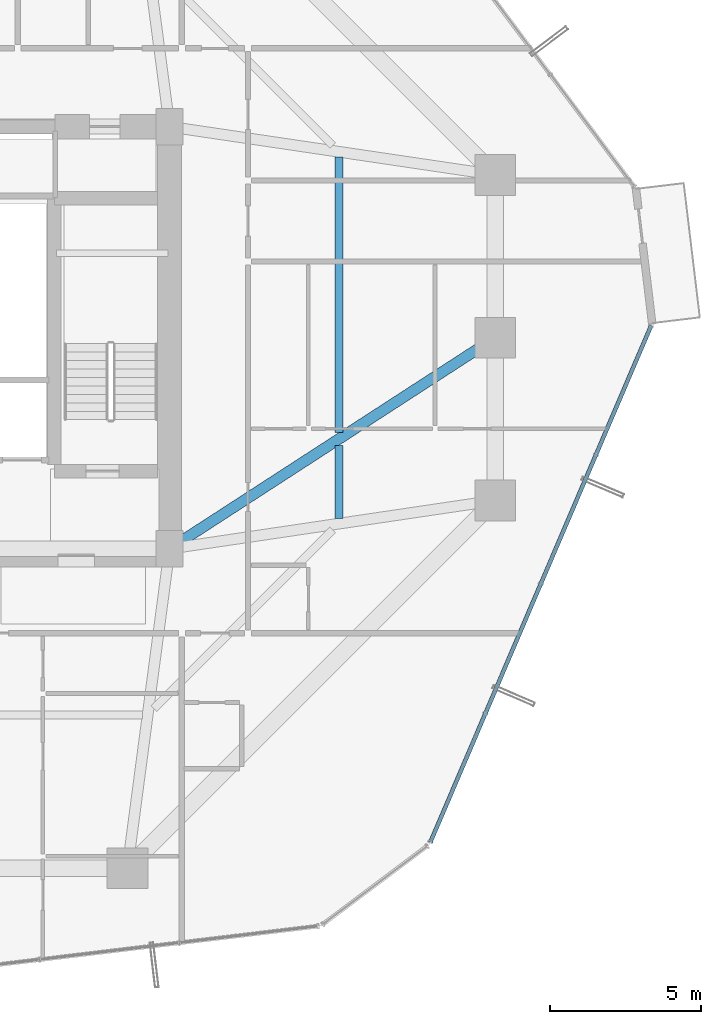
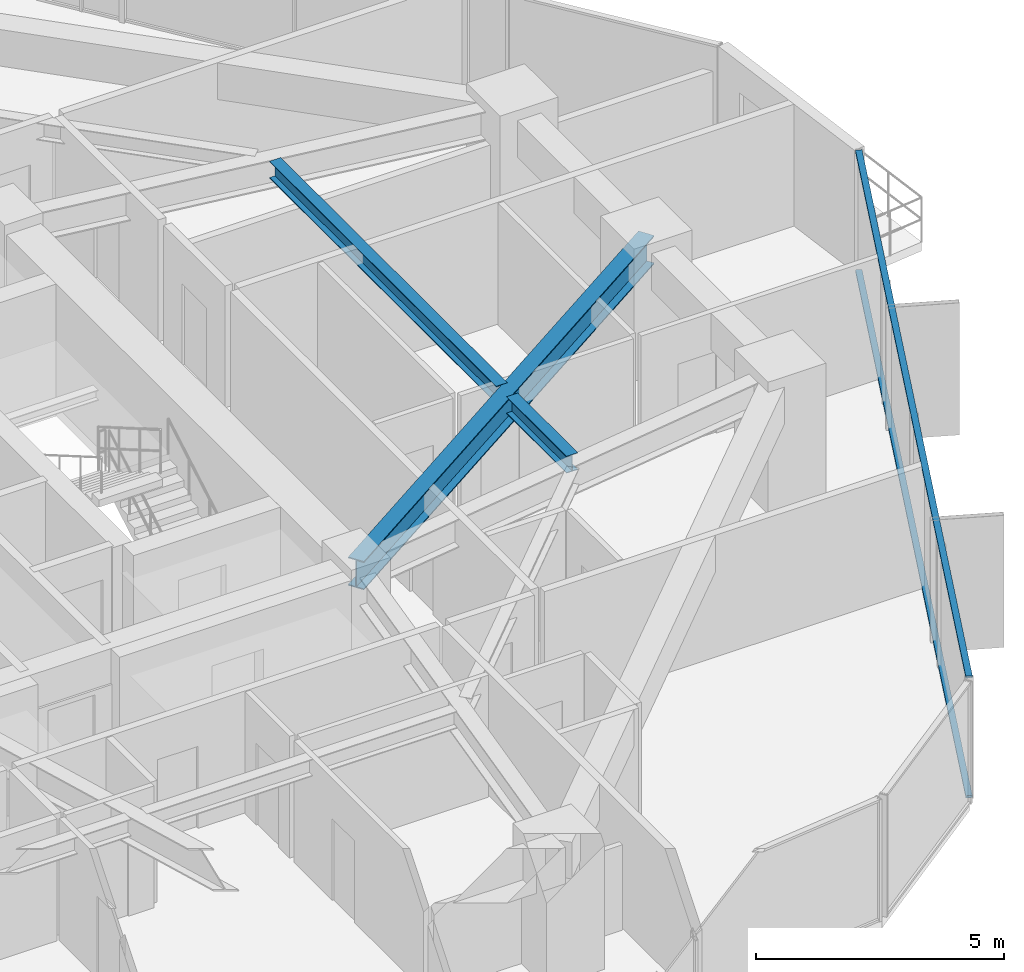
# One storey, part 17 of 37: 3 beams, 2 members, 1 element without a shape of its own.
"""IFC4 building model written with IfcOpenShell, lengths in metres."""

from ifc_helpers import new_model, si_unit, direction, frame, origin, origin_2d, place, context, subcontext, project, spatial, hollow_rectangle, i_section, extrude, source, transform, mapped, material, layer, layer_set, material_profile, profile_set, type_object, element, aggregate, save


model = new_model("IFC4")

# Units and contexts
model_context = context("Model", 3, precision=1e-05, world=origin(), true_north=direction((0.0, 1.0)))
body_context = subcontext(model_context, "Body", "Model", "MODEL_VIEW")
ifc_project = project(units=[si_unit("LENGTHUNIT", "METRE"), si_unit("AREAUNIT", "SQUARE_METRE"), si_unit("VOLUMEUNIT", "CUBIC_METRE"), si_unit("PLANEANGLEUNIT", "RADIAN"), si_unit("MASSUNIT", "GRAM", prefix="KILO")], contexts=[model_context])

# Site, building, storey
site_placement = place(None, origin())
site = spatial("IfcSite", under=ifc_project, at=site_placement, CompositionType="ELEMENT")
building_placement = place(site_placement, origin())
building = spatial("IfcBuilding", under=site, at=building_placement, Name="Veraguas Prism Commons", CompositionType="ELEMENT")
storey_placement = place(building_placement, frame((0.0, 0.0, 46.800048828125)))
storey = spatial("IfcBuildingStorey", under=building, at=storey_placement, Name="L12", CompositionType="ELEMENT", Elevation=46.800048828125)

# Beams
ifc_material_1 = material(Name="Steel ASTM A992 Grade 50", Category="steel")
ifc_material_profile_1 = material_profile(ifc_material_1, i_section(OverallWidth=0.260986328125, OverallDepth=0.419921875, WebThickness=0.01171875, FlangeThickness=0.019287109375, at=origin_2d()), Name="W410X114")
ifc_profile_set_1 = profile_set([ifc_material_profile_1], Name="Steel ASTM A992 Grade 50")
beam_type_1 = type_object("IfcBeamType", Name="Lower Floor Joist W410x114", PredefinedType="JOIST", material=ifc_profile_set_1)
beam_1_placement = place(storey_placement, frame((36.416015625, 18.010009765625, 2.7900390625), z_axis=(0.0, 1.0, 0.0), x_axis=(-1.0, 0.0, 0.0)))
element("IfcBeam", 1, at=beam_1_placement, inside=storey, type_object=beam_type_1, Name="Composite Floor Joist L12-JS01", PredefinedType="JOIST", context=body_context, shape_type="SweptSolid", body=[
    extrude(i_section(OverallWidth=0.260986328125, OverallDepth=0.419921875, WebThickness=0.01171875, FlangeThickness=0.019287109375, at=origin_2d()), origin(), (0.0, 0.0, 1.0), 2.42041015625),
])
beam_2_placement = place(storey_placement, frame((36.416015625, 20.849609375, 2.7900390625), z_axis=(0.0, 1.0, 0.0), x_axis=(-1.0, 0.0, 0.0)))
element("IfcBeam", 2, at=beam_2_placement, inside=storey, type_object=beam_type_1, Name="Composite Floor Joist L12-JS02", PredefinedType="JOIST", context=body_context, shape_type="SweptSolid", body=[
    extrude(i_section(OverallWidth=0.260986328125, OverallDepth=0.419921875, WebThickness=0.01171875, FlangeThickness=0.019287109375, at=origin_2d()), origin(), (0.0, 0.0, 1.0), 9.140380859375),
])
ifc_material_profile_2 = material_profile(ifc_material_1, i_section(OverallWidth=0.35595703125, OverallDepth=0.700927734375, WebThickness=0.016845703125, FlangeThickness=0.02734375, at=origin_2d()), Name="W690X240")
ifc_profile_set_2 = profile_set([ifc_material_profile_2], Name="Steel ASTM A992 Grade 50")
beam_type_2 = type_object("IfcBeamType", Name="Zone 1 Radial Girder W690x240", PredefinedType="BEAM", material=ifc_profile_set_2)
beam_3_placement = place(storey_placement, frame((41.60009765625, 24.0, 2.6494140625), z_axis=(-0.839154108875, -0.543893722668, 0.0), x_axis=(0.543893722668, -0.839154108875, 0.0)))
element("IfcBeam", 3, at=beam_3_placement, inside=storey, type_object=beam_type_2, Name="Radial Floor Girder L12-RD02", PredefinedType="BEAM", context=body_context, shape_type="SweptSolid", body=[
    extrude(i_section(OverallWidth=0.35595703125, OverallDepth=0.700927734375, WebThickness=0.016845703125, FlangeThickness=0.02734375, at=origin_2d()), origin(), (0.0, 0.0, 1.0), 12.8701171875),
])

# Curtain wall, members
ifc_material_2 = material(Name="Anodised aluminium EN AW-6063 T6", Category="aluminium")
ifc_layer = layer(ifc_material_2, 0.169921875, Name="Unitised Flush Curtain Wall Zone 1", Category="aluminium")
ifc_layer_set = layer_set([ifc_layer], Name="Anodised aluminium EN AW-6063 T6")
curtain_wall_type = type_object("IfcCurtainWallType", Name="Unitised Flush Curtain Wall Zone 1", PredefinedType="NOTDEFINED", material=ifc_layer_set)
curtain_wall_placement = place(storey_placement, origin())
curtain_wall = element("IfcCurtainWall", 4, at=curtain_wall_placement, inside=storey, type_object=curtain_wall_type, Name="Tower Facade Curtain Wall L12-F6", PredefinedType="NOTDEFINED")
ifc_material_profile_3 = material_profile(ifc_material_2, hollow_rectangle(XDim=0.054931640625, YDim=0.135009765625, WallThickness=0.0029296875, at=origin_2d()), Name="AL55X135X3")
ifc_profile_set_3 = profile_set([ifc_material_profile_3], Name="Anodised aluminium EN AW-6063 T6")
member_type = type_object("IfcMemberType", Name="Curtain Wall Transom Standard AL 55x135x3", PredefinedType="USERDEFINED", material=ifc_profile_set_3)
shared_shape = source(origin(), body_context, "Body", "SweptSolid", [
    extrude(hollow_rectangle(XDim=0.054931640625, YDim=0.135009765625, WallThickness=0.0029296875, at=origin_2d()), origin(), (0.0, 0.0, 1.0), 18.623779296875),
])
member_1_placement = place(storey_placement, frame((39.453125, 7.269287109375, 0.02734375), z_axis=(0.392971391909, 0.919550697429, 0.0), x_axis=(0.0, 0.0, 1.0)))
member_1 = element("IfcMember", 5, at=member_1_placement, type_object=member_type, Name="CW-Z1 Transom 1", ObjectType="TRANSOM", PredefinedType="USERDEFINED", context=body_context, shape_type="MappedRepresentation", body=[
    mapped(shared_shape, transform((0.0, 0.0, 0.0), scale=1.0)),
])
member_2_placement = place(storey_placement, frame((39.453125, 7.269287109375, 2.972412109375), z_axis=(0.392971391909, 0.919550697429, 0.0), x_axis=(0.0, 0.0, 1.0)))
member_2 = element("IfcMember", 6, at=member_2_placement, type_object=member_type, Name="CW-Z1 Transom 2", ObjectType="TRANSOM", PredefinedType="USERDEFINED", context=body_context, shape_type="MappedRepresentation", body=[
    mapped(shared_shape, transform((0.0, 0.0, 0.0), scale=1.0)),
])
aggregate(curtain_wall, [member_1, member_2])

save(model, "model.ifc")
